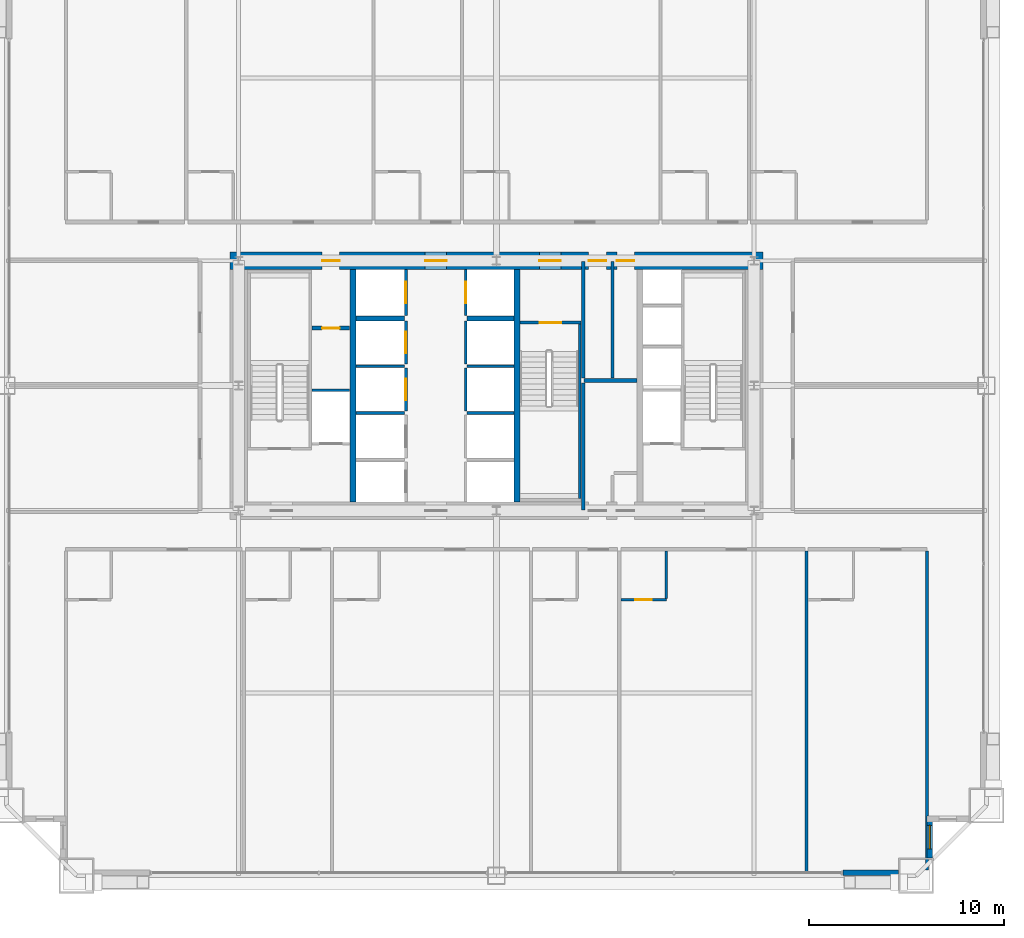
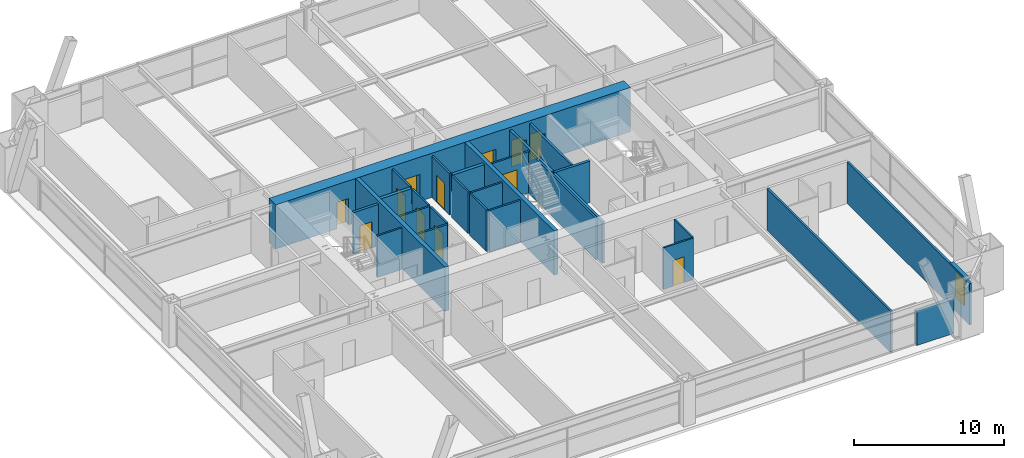
# One storey, part 40 of 43: 29 walls, 12 doors, 1 window, 13 openings.
"""IFC4 building model written with IfcOpenShell, lengths in metres."""

from ifc_helpers import new_model, si_unit, direction, frame, frame_2d, origin, place, context, subcontext, project, spatial, rectangle, extrude, source, transform, mapped, material, layer, layer_set, type_object, element, fill, save


model = new_model("IFC4")

# Units and contexts
model_context = context("Model", 3, precision=1e-05, world=origin(), true_north=direction((0.0, 1.0)))
body_context = subcontext(model_context, "Body", "Model", "MODEL_VIEW")
ifc_project = project(units=[si_unit("LENGTHUNIT", "METRE"), si_unit("AREAUNIT", "SQUARE_METRE"), si_unit("VOLUMEUNIT", "CUBIC_METRE"), si_unit("PLANEANGLEUNIT", "RADIAN"), si_unit("MASSUNIT", "GRAM", prefix="KILO"), si_unit("THERMODYNAMICTEMPERATUREUNIT", "KELVIN"), si_unit("POWERUNIT", "WATT")], contexts=[model_context])

# Site, building, storey
site_placement = place(None, origin())
site = spatial("IfcSite", under=ifc_project, at=site_placement, CompositionType="ELEMENT")
building_placement = place(site_placement, origin())
building = spatial("IfcBuilding", under=site, at=building_placement, Name="Yuzanri Waterfront Tower", CompositionType="ELEMENT")
storey_placement = place(building_placement, frame((0.0, 0.0, 74.800048828125)))
storey = spatial("IfcBuildingStorey", under=building, at=storey_placement, Name="L19", CompositionType="ELEMENT", Elevation=74.800048828125)

# Wall, opening, door
ifc_material_1 = material(Name="Moisture-Resistant Gypsum Stud Wall", Category="gypsum")
ifc_layer_1 = layer(ifc_material_1, 0.1201171875)
ifc_layer_set_1 = layer_set([ifc_layer_1], Name="Moisture-Resistant Gypsum Stud Wall")
wall_type_1 = type_object("IfcWallType", Name="Bathroom and Kitchen Wet Partition 120", PredefinedType="PARTITIONING", material=ifc_layer_set_1)
wall_1_placement = place(storey_placement, frame((43.3740234375, 14.840087890625, 0.0), z_axis=(0.0, 0.0, 1.0), x_axis=(1.0, 0.0, 0.0)))
wall_1 = element("IfcWall", 1, at=wall_1_placement, inside=storey, type_object=wall_type_1, Name="L19 Partition UW-L19-S5-BS", PredefinedType="PARTITIONING", context=body_context, shape_type="SweptSolid", body=[
    extrude(rectangle(XDim=2.330078125, YDim=0.1201171875, at=frame_2d((1.1650390625, 0.0))), origin(), (0.0, 0.0, 1.0), 3.3798828125),
])
opening_1_placement = place(wall_1_placement, frame((0.739990234375, 0.0, 0.0)))
opening_1 = element("IfcOpeningElement", 2, at=opening_1_placement, cuts=wall_1, Name="Opening ID-0850", PredefinedType="OPENING", context=body_context, shape_type="SweptSolid", body=[
    extrude(rectangle(XDim=0.85009765625, YDim=2.10009765625, at=frame_2d((0.425048828125, 1.050048828125))), frame((0.0, 0.074951171875, 0.0), z_axis=(0.0, -1.0, 0.0), x_axis=(1.0, 0.0, 0.0)), (0.0, 0.0, 1.0), 0.14990234375),
])
ifc_material_2 = material(Name="Moisture-Resistant Lacquered Timber", Category="wood")
door_type_1 = type_object("IfcDoorType", Name="En-Suite Bathroom and Kitchen Swing Door 850x2100", OperationType="NOTDEFINED", PredefinedType="DOOR", material=ifc_material_2)
shared_shape_1 = source(origin(), body_context, "Body", "SweptSolid", [
    extrude(rectangle(XDim=0.85009765625, YDim=2.10009765625, at=frame_2d((0.425048828125, 1.050048828125))), frame((0.0, 0.02490234375, 0.0), z_axis=(0.0, -1.0, 0.0), x_axis=(1.0, 0.0, 0.0)), (0.0, 0.0, 1.0), 0.050048828125),
])
door_1_placement = place(opening_1_placement, origin())
door_1 = element("IfcDoor", 3, at=door_1_placement, inside=storey, type_object=door_type_1, Name="L19 Guest En-Suite Door", OperationType="SINGLE_SWING_LEFT", OverallHeight=2.10009765625, OverallWidth=0.85009765625, PredefinedType="DOOR", context=body_context, shape_type="MappedRepresentation", body=[
    mapped(shared_shape_1, transform((0.0, 0.0, 0.0), scale=1.0)),
])
fill(opening_1, door_1)

# Wall, opening, window
ifc_material_3 = material(Name="Honed Chongqing Dark Basalt Stone", Category="masonry")
ifc_layer_2 = layer(ifc_material_3, 0.300048828125)
ifc_layer_set_2 = layer_set([ifc_layer_2], Name="Honed Chongqing Dark Basalt Stone")
wall_type_2 = type_object("IfcWallType", Name="Bronze Rainscreen Insulated Spandrel Portal Wall 300", PredefinedType="SOLIDWALL", material=ifc_layer_set_2)
wall_2_placement = place(storey_placement, frame((59.199951171875, 1.60009765625, 0.0), z_axis=(0.0, 0.0, 1.0), x_axis=(0.0, 1.0, 0.0)))
wall_2 = element("IfcWall", 4, at=wall_2_placement, inside=storey, type_object=wall_type_2, Name="L19 Notched Corner Masonry Wall SE-Y", PredefinedType="SOLIDWALL", context=body_context, shape_type="SweptSolid", body=[
    extrude(rectangle(XDim=2.14990234375, YDim=0.300048828125, at=frame_2d((1.074951171875, 0.0))), origin(), (0.0, 0.0, 1.0), 3.3798828125),
])
opening_2_placement = place(wall_2_placement, frame((0.47509765625, 0.0, 0.85009765625)))
opening_2 = element("IfcOpeningElement", 5, at=opening_2_placement, cuts=wall_2, Name="Opening WN-02", PredefinedType="OPENING", context=body_context, shape_type="SweptSolid", body=[
    extrude(rectangle(XDim=1.199951171875, YDim=2.10009765625, at=frame_2d((0.60009765625, 1.050048828125))), frame((0.0, 0.1650390625, 0.0), z_axis=(0.0, -1.0, 0.0), x_axis=(1.0, 0.0, 0.0)), (0.0, 0.0, 1.0), 0.329833984375),
])
ifc_material_4 = material(Name="Double-Silver Low-E Insulated Glass", Category="glass")
window_type = type_object("IfcWindowType", Name="Anodized Bronze Notched Corner Deep-Set Slot Window 1200x2100", PartitioningType="SINGLE_PANEL", PredefinedType="WINDOW", material=ifc_material_4)
shared_shape_2 = source(origin(), body_context, "Body", "SweptSolid", [
    extrude(rectangle(XDim=1.199951171875, YDim=2.10009765625, at=frame_2d((0.60009765625, 1.050048828125))), frame((0.0, 0.030029296875, 0.0), z_axis=(0.0, -1.0, 0.0), x_axis=(1.0, 0.0, 0.0)), (0.0, 0.0, 1.0), 0.06005859375),
])
window_placement = place(opening_2_placement, origin())
window = element("IfcWindow", 6, at=window_placement, inside=storey, type_object=window_type, Name="L19 Notched Corner Window SE-Y", OverallHeight=2.10009765625, OverallWidth=1.199951171875, PartitioningType="SINGLE_PANEL", PredefinedType="WINDOW", context=body_context, shape_type="MappedRepresentation", body=[
    mapped(shared_shape_2, transform((0.0, 0.0, 0.0), scale=1.0)),
])
fill(opening_2, window)

# Wall, openings, doors
ifc_material_5 = material(Name="Concrete C60", Category="concrete")
ifc_layer_3 = layer(ifc_material_5, 0.89990234375)
ifc_layer_set_3 = layer_set([ifc_layer_3], Name="Concrete C60")
wall_type_3 = type_object("IfcWallType", Name="Concrete C60 Lower Zone Core Shear Wall 900", PredefinedType="SHEAR", material=ifc_layer_set_3)
wall_3_placement = place(storey_placement, frame((23.35009765625, 32.199951171875, 0.0), z_axis=(0.0, 0.0, 1.0), x_axis=(1.0, 0.0, 0.0)))
wall_3 = element("IfcWall", 7, at=wall_3_placement, inside=storey, type_object=wall_type_3, Name="L19 Core North Shear Wall", PredefinedType="SHEAR", context=body_context, shape_type="SweptSolid", body=[
    extrude(rectangle(XDim=27.2998046875, YDim=0.89990234375, at=frame_2d((13.64990234375, 0.0))), origin(), (0.0, 0.0, 1.0), 3.599853515625),
])
opening_3_placement = place(wall_3_placement, frame((4.719970703125, 0.0, 0.0)))
opening_3 = element("IfcOpeningElement", 8, at=opening_3_placement, cuts=wall_3, Name="Opening FD-0900", PredefinedType="OPENING", context=body_context, shape_type="SweptSolid", body=[
    extrude(rectangle(XDim=0.89990234375, YDim=2.14990234375, at=frame_2d((0.449951171875, 1.074951171875))), frame((0.0, 0.46484375, 0.0), z_axis=(0.0, -1.0, 0.0), x_axis=(1.0, 0.0, 0.0)), (0.0, 0.0, 1.0), 0.9296875),
])
opening_4_placement = place(wall_3_placement, frame((10.0, 0.0, 0.0)))
opening_4 = element("IfcOpeningElement", 9, at=opening_4_placement, cuts=wall_3, Name="Opening FD-1100", PredefinedType="OPENING", context=body_context, shape_type="SweptSolid", body=[
    extrude(rectangle(XDim=1.10009765625, YDim=2.199951171875, at=frame_2d((0.550048828125, 1.10009765625))), frame((0.0, 0.46484375, 0.0), z_axis=(0.0, -1.0, 0.0), x_axis=(1.0, 0.0, 0.0)), (0.0, 0.0, 1.0), 0.9296875),
])
opening_5_placement = place(wall_3_placement, frame((15.85009765625, 0.0, 0.0)))
opening_5 = element("IfcOpeningElement", 10, at=opening_5_placement, cuts=wall_3, Name="Opening FD-1100", PredefinedType="OPENING", context=body_context, shape_type="SweptSolid", body=[
    extrude(rectangle(XDim=1.10009765625, YDim=2.199951171875, at=frame_2d((0.550048828125, 1.10009765625))), frame((0.0, 0.46484375, 0.0), z_axis=(0.0, -1.0, 0.0), x_axis=(1.0, 0.0, 0.0)), (0.0, 0.0, 1.0), 0.9296875),
])
opening_6_placement = place(wall_3_placement, frame((18.3798828125, 0.0, 0.0)))
opening_6 = element("IfcOpeningElement", 11, at=opening_6_placement, cuts=wall_3, Name="Opening FD-0900", PredefinedType="OPENING", context=body_context, shape_type="SweptSolid", body=[
    extrude(rectangle(XDim=0.89990234375, YDim=2.14990234375, at=frame_2d((0.449951171875, 1.074951171875))), frame((0.0, 0.46484375, 0.0), z_axis=(0.0, -1.0, 0.0), x_axis=(1.0, 0.0, 0.0)), (0.0, 0.0, 1.0), 0.9296875),
])
opening_7_placement = place(wall_3_placement, frame((19.820068359375, 0.0, 0.0)))
opening_7 = element("IfcOpeningElement", 12, at=opening_7_placement, cuts=wall_3, Name="Opening FD-0900", PredefinedType="OPENING", context=body_context, shape_type="SweptSolid", body=[
    extrude(rectangle(XDim=0.89990234375, YDim=2.14990234375, at=frame_2d((0.449951171875, 1.074951171875))), frame((0.0, 0.46484375, 0.0), z_axis=(0.0, -1.0, 0.0), x_axis=(1.0, 0.0, 0.0)), (0.0, 0.0, 1.0), 0.9296875),
])
ifc_material_6 = material(Name="Painted Galvanized Fire Steel", Category="steel")
door_type_2 = type_object("IfcDoorType", Name="Smoke-Proof Stair and Lobby Fire Door 1100x2200", OperationType="NOTDEFINED", PredefinedType="DOOR", material=ifc_material_6)
shared_shape_3 = source(origin(), body_context, "Body", "SweptSolid", [
    extrude(rectangle(XDim=1.10009765625, YDim=2.199951171875, at=frame_2d((0.550048828125, 1.10009765625))), frame((0.0, 0.02490234375, 0.0), z_axis=(0.0, -1.0, 0.0), x_axis=(1.0, 0.0, 0.0)), (0.0, 0.0, 1.0), 0.050048828125),
])
door_2_placement = place(opening_4_placement, origin())
door_2 = element("IfcDoor", 13, at=door_2_placement, inside=storey, type_object=door_type_2, Name="L19 Central Lift Lobby North Door", OperationType="SINGLE_SWING_LEFT", OverallHeight=2.199951171875, OverallWidth=1.10009765625, PredefinedType="DOOR", context=body_context, shape_type="MappedRepresentation", body=[
    mapped(shared_shape_3, transform((0.0, 0.0, 0.0), scale=1.0)),
])
fill(opening_4, door_2)
door_3_placement = place(opening_5_placement, origin())
door_3 = element("IfcDoor", 14, at=door_3_placement, inside=storey, type_object=door_type_2, Name="L19 North Stair Lobby Door", OperationType="SINGLE_SWING_RIGHT", OverallHeight=2.199951171875, OverallWidth=1.10009765625, PredefinedType="DOOR", context=body_context, shape_type="MappedRepresentation", body=[
    mapped(shared_shape_3, transform((0.0, 0.0, 0.0), scale=1.0)),
])
fill(opening_5, door_3)
ifc_material_7 = material(Name="Painted Galvanized Fire Steel", Category="steel")
door_type_3 = type_object("IfcDoorType", Name="Riser and Service Room Fire Door 900x2150", OperationType="NOTDEFINED", PredefinedType="DOOR", material=ifc_material_7)
shared_shape_4 = source(origin(), body_context, "Body", "SweptSolid", [
    extrude(rectangle(XDim=0.89990234375, YDim=2.14990234375, at=frame_2d((0.449951171875, 1.074951171875))), frame((0.0, 0.02490234375, 0.0), z_axis=(0.0, -1.0, 0.0), x_axis=(1.0, 0.0, 0.0)), (0.0, 0.0, 1.0), 0.050048828125),
])
door_4_placement = place(opening_3_placement, origin())
door_4 = element("IfcDoor", 15, at=door_4_placement, inside=storey, type_object=door_type_3, Name="L19 Telecom Riser Door", OperationType="SINGLE_SWING_RIGHT", OverallHeight=2.14990234375, OverallWidth=0.89990234375, PredefinedType="DOOR", context=body_context, shape_type="MappedRepresentation", body=[
    mapped(shared_shape_4, transform((0.0, 0.0, 0.0), scale=1.0)),
])
fill(opening_3, door_4)
door_5_placement = place(opening_6_placement, origin())
door_5 = element("IfcDoor", 16, at=door_5_placement, inside=storey, type_object=door_type_3, Name="L19 Common Store Room", OperationType="SINGLE_SWING_RIGHT", OverallHeight=2.14990234375, OverallWidth=0.89990234375, PredefinedType="DOOR", context=body_context, shape_type="MappedRepresentation", body=[
    mapped(shared_shape_4, transform((0.0, 0.0, 0.0), scale=1.0)),
])
fill(opening_6, door_5)
door_6_placement = place(opening_7_placement, origin())
door_6 = element("IfcDoor", 17, at=door_6_placement, inside=storey, type_object=door_type_3, Name="L19 Linen Store Room", OperationType="SINGLE_SWING_LEFT", OverallHeight=2.14990234375, OverallWidth=0.89990234375, PredefinedType="DOOR", context=body_context, shape_type="MappedRepresentation", body=[
    mapped(shared_shape_4, transform((0.0, 0.0, 0.0), scale=1.0)),
])
fill(opening_7, door_6)

# Wall, opening, door
ifc_material_8 = material(Name="Concrete C40", Category="concrete")
ifc_layer_4 = layer(ifc_material_8, 0.139892578125)
ifc_layer_set_4 = layer_set([ifc_layer_4], Name="Concrete C40")
wall_type_4 = type_object("IfcWallType", Name="Core Stair Liner and Hoistway Shaft Wall 140", PredefinedType="SOLIDWALL", material=ifc_layer_set_4)
wall_4_placement = place(storey_placement, frame((32.3701171875, 24.5, 0.0), z_axis=(0.0, 0.0, 1.0), x_axis=(0.0, 1.0, 0.0)))
wall_4 = element("IfcWall", 18, at=wall_4_placement, inside=storey, type_object=wall_type_4, Name="L19 Lift PL-03 Front Shaft Wall", PredefinedType="SOLIDWALL", context=body_context, shape_type="SweptSolid", body=[
    extrude(rectangle(XDim=2.199951171875, YDim=0.139892578125, at=frame_2d((1.10009765625, 0.0))), origin(), (0.0, 0.0, 1.0), 3.3798828125),
])
opening_8_placement = place(wall_4_placement, frame((0.550048828125, 0.0, 0.0)))
opening_8 = element("IfcOpeningElement", 19, at=opening_8_placement, cuts=wall_4, Name="Opening LD-PL-03", PredefinedType="OPENING", context=body_context, shape_type="SweptSolid", body=[
    extrude(rectangle(XDim=1.10009765625, YDim=2.199951171875, at=frame_2d((0.550048828125, 1.10009765625))), frame((0.0, 0.0849609375, 0.0), z_axis=(0.0, -1.0, 0.0), x_axis=(1.0, 0.0, 0.0)), (0.0, 0.0, 1.0), 0.169677734375),
])
ifc_material_9 = material(Name="Brushed Bronze and Stainless Steel Cab", Category="steel")
door_type_4 = type_object("IfcDoorType", Name="Center-Parting Bronze Lift Landing Sliding Door 1100x2200", OperationType="NOTDEFINED", PredefinedType="DOOR", material=ifc_material_9)
shared_shape_5 = source(origin(), body_context, "Body", "SweptSolid", [
    extrude(rectangle(XDim=1.10009765625, YDim=2.199951171875, at=frame_2d((0.550048828125, 1.10009765625))), frame((0.0, 0.02490234375, 0.0), z_axis=(0.0, -1.0, 0.0), x_axis=(1.0, 0.0, 0.0)), (0.0, 0.0, 1.0), 0.050048828125),
])
door_7_placement = place(opening_8_placement, origin())
door_7 = element("IfcDoor", 20, at=door_7_placement, inside=storey, type_object=door_type_4, Name="L19 PL-03 Lift Landing Sliding Door", OperationType="SLIDING_TO_LEFT", OverallHeight=2.199951171875, OverallWidth=1.10009765625, PredefinedType="DOOR", context=body_context, shape_type="MappedRepresentation", body=[
    mapped(shared_shape_5, transform((0.0, 0.0, 0.0), scale=1.0)),
])
fill(opening_8, door_7)

wall_5_placement = place(storey_placement, frame((32.3701171875, 26.89990234375, 0.0), z_axis=(0.0, 0.0, 1.0), x_axis=(0.0, 1.0, 0.0)))
wall_5 = element("IfcWall", 21, at=wall_5_placement, inside=storey, type_object=wall_type_4, Name="L19 Lift PL-04 Front Shaft Wall", PredefinedType="SOLIDWALL", context=body_context, shape_type="SweptSolid", body=[
    extrude(rectangle(XDim=2.2001953125, YDim=0.139892578125, at=frame_2d((1.10009765625, 0.0))), origin(), (0.0, 0.0, 1.0), 3.3798828125),
])
opening_9_placement = place(wall_5_placement, frame((0.550048828125, 0.0, 0.0)))
opening_9 = element("IfcOpeningElement", 22, at=opening_9_placement, cuts=wall_5, Name="Opening LD-PL-04", PredefinedType="OPENING", context=body_context, shape_type="SweptSolid", body=[
    extrude(rectangle(XDim=1.10009765625, YDim=2.199951171875, at=frame_2d((0.550048828125, 1.10009765625))), frame((0.0, 0.0849609375, 0.0), z_axis=(0.0, -1.0, 0.0), x_axis=(1.0, 0.0, 0.0)), (0.0, 0.0, 1.0), 0.169677734375),
])
door_8_placement = place(opening_9_placement, origin())
door_8 = element("IfcDoor", 23, at=door_8_placement, inside=storey, type_object=door_type_4, Name="L19 PL-04 Lift Landing Sliding Door", OperationType="SLIDING_TO_RIGHT", OverallHeight=2.199951171875, OverallWidth=1.10009765625, PredefinedType="DOOR", context=body_context, shape_type="MappedRepresentation", body=[
    mapped(shared_shape_5, transform((0.0, 0.0, 0.0), scale=1.0)),
])
fill(opening_9, door_8)

wall_6_placement = place(storey_placement, frame((32.3701171875, 29.39990234375, 0.0), z_axis=(0.0, 0.0, 1.0), x_axis=(0.0, 1.0, 0.0)))
wall_6 = element("IfcWall", 24, at=wall_6_placement, inside=storey, type_object=wall_type_4, Name="L19 Lift SL-01 Front Shaft Wall", PredefinedType="SOLIDWALL", context=body_context, shape_type="SweptSolid", body=[
    extrude(rectangle(XDim=2.340087890625, YDim=0.139892578125, at=frame_2d((1.169921875, 0.0))), origin(), (0.0, 0.0, 1.0), 3.3798828125),
])
opening_10_placement = place(wall_6_placement, frame((0.6201171875, 0.0, 0.0)))
opening_10 = element("IfcOpeningElement", 25, at=opening_10_placement, cuts=wall_6, Name="Opening LD-SL-01", PredefinedType="OPENING", context=body_context, shape_type="SweptSolid", body=[
    extrude(rectangle(XDim=1.10009765625, YDim=2.199951171875, at=frame_2d((0.550048828125, 1.10009765625))), frame((0.0, 0.0849609375, 0.0), z_axis=(0.0, -1.0, 0.0), x_axis=(1.0, 0.0, 0.0)), (0.0, 0.0, 1.0), 0.169677734375),
])
door_9_placement = place(opening_10_placement, origin())
door_9 = element("IfcDoor", 26, at=door_9_placement, inside=storey, type_object=door_type_4, Name="L19 SL-01 Lift Landing Sliding Door", OperationType="SLIDING_TO_LEFT", OverallHeight=2.199951171875, OverallWidth=1.10009765625, PredefinedType="DOOR", context=body_context, shape_type="MappedRepresentation", body=[
    mapped(shared_shape_5, transform((0.0, 0.0, 0.0), scale=1.0)),
])
fill(opening_10, door_9)

wall_7_placement = place(storey_placement, frame((35.429931640625, 29.39990234375, 0.0), z_axis=(0.0, 0.0, 1.0), x_axis=(0.0, 1.0, 0.0)))
wall_7 = element("IfcWall", 27, at=wall_7_placement, inside=storey, type_object=wall_type_4, Name="L19 Lift SL-02 Front Shaft Wall", PredefinedType="SOLIDWALL", context=body_context, shape_type="SweptSolid", body=[
    extrude(rectangle(XDim=2.340087890625, YDim=0.139892578125, at=frame_2d((1.169921875, 0.0))), origin(), (0.0, 0.0, 1.0), 3.3798828125),
])
opening_11_placement = place(wall_7_placement, frame((0.6201171875, 0.0, 0.0)))
opening_11 = element("IfcOpeningElement", 28, at=opening_11_placement, cuts=wall_7, Name="Opening LD-SL-02", PredefinedType="OPENING", context=body_context, shape_type="SweptSolid", body=[
    extrude(rectangle(XDim=1.10009765625, YDim=2.199951171875, at=frame_2d((0.550048828125, 1.10009765625))), frame((0.0, 0.0849609375, 0.0), z_axis=(0.0, -1.0, 0.0), x_axis=(1.0, 0.0, 0.0)), (0.0, 0.0, 1.0), 0.169677734375),
])
door_10_placement = place(opening_11_placement, origin())
door_10 = element("IfcDoor", 29, at=door_10_placement, inside=storey, type_object=door_type_4, Name="L19 SL-02 Lift Landing Sliding Door", OperationType="SLIDING_TO_RIGHT", OverallHeight=2.199951171875, OverallWidth=1.10009765625, PredefinedType="DOOR", context=body_context, shape_type="MappedRepresentation", body=[
    mapped(shared_shape_5, transform((0.0, 0.0, 0.0), scale=1.0)),
])
fill(opening_11, door_10)

wall_8_placement = place(storey_placement, frame((38.199951171875, 29.030029296875, 0.0), z_axis=(0.0, 0.0, 1.0), x_axis=(1.0, 0.0, 0.0)))
wall_8 = element("IfcWall", 30, at=wall_8_placement, inside=storey, type_object=wall_type_4, Name="L19 Shaft Wall STW-L19-ST-03-N", PredefinedType="SOLIDWALL", context=body_context, shape_type="SweptSolid", body=[
    extrude(rectangle(XDim=3.14013671875, YDim=0.139892578125, at=frame_2d((1.570068359375, 0.0))), origin(), (0.0, 0.0, 1.0), 3.3798828125),
])
opening_12_placement = place(wall_8_placement, frame((1.02001953125, 0.0, 0.0)))
opening_12 = element("IfcOpeningElement", 31, at=opening_12_placement, cuts=wall_8, Name="Opening FD-1100", PredefinedType="OPENING", context=body_context, shape_type="SweptSolid", body=[
    extrude(rectangle(XDim=1.10009765625, YDim=2.199951171875, at=frame_2d((0.550048828125, 1.10009765625))), frame((0.0, 0.0849609375, 0.0), z_axis=(0.0, -1.0, 0.0), x_axis=(1.0, 0.0, 0.0)), (0.0, 0.0, 1.0), 0.169677734375),
])
door_11_placement = place(opening_12_placement, origin())
door_11 = element("IfcDoor", 32, at=door_11_placement, inside=storey, type_object=door_type_2, Name="L19 Stair ST-03 Fire Door", OperationType="SINGLE_SWING_RIGHT", OverallHeight=2.199951171875, OverallWidth=1.10009765625, PredefinedType="DOOR", context=body_context, shape_type="MappedRepresentation", body=[
    mapped(shared_shape_3, transform((0.0, 0.0, 0.0), scale=1.0)),
])
fill(opening_12, door_11)

ifc_material_10 = material(Name="Autoclaved Aerated Concrete Blockwork", Category="masonry")
ifc_layer_5 = layer(ifc_material_10, 0.199951171875)
ifc_layer_set_5 = layer_set([ifc_layer_5], Name="Autoclaved Aerated Concrete Blockwork")
wall_type_5 = type_object("IfcWallType", Name="Corridor and Unit Party Fire Wall 200", PredefinedType="PARTITIONING", material=ifc_layer_set_5)
wall_9_placement = place(storey_placement, frame((27.56005859375, 28.75, 0.0), z_axis=(0.0, 0.0, 1.0), x_axis=(1.0, 0.0, 0.0)))
wall_9 = element("IfcWall", 33, at=wall_9_placement, inside=storey, type_object=wall_type_5, Name="L19 Partition CRW-L19-ERTR", PredefinedType="PARTITIONING", context=body_context, shape_type="SweptSolid", body=[
    extrude(rectangle(XDim=1.919921875, YDim=0.199951171875, at=frame_2d((0.9599609375, 0.0))), origin(), (0.0, 0.0, 1.0), 3.3798828125),
])
opening_13_placement = place(wall_9_placement, frame((0.510009765625, 0.0, 0.0)))
opening_13 = element("IfcOpeningElement", 34, at=opening_13_placement, cuts=wall_9, Name="Opening FD-0900", PredefinedType="OPENING", context=body_context, shape_type="SweptSolid", body=[
    extrude(rectangle(XDim=0.89990234375, YDim=2.14990234375, at=frame_2d((0.449951171875, 1.074951171875))), frame((0.0, 0.11474609375, 0.0), z_axis=(0.0, -1.0, 0.0), x_axis=(1.0, 0.0, 0.0)), (0.0, 0.0, 1.0), 0.229736328125),
])
door_12_placement = place(opening_13_placement, origin())
door_12 = element("IfcDoor", 35, at=door_12_placement, inside=storey, type_object=door_type_3, Name="L19 Electrical Riser Door", OperationType="SINGLE_SWING_LEFT", OverallHeight=2.14990234375, OverallWidth=0.89990234375, PredefinedType="DOOR", context=body_context, shape_type="MappedRepresentation", body=[
    mapped(shared_shape_4, transform((0.0, 0.0, 0.0), scale=1.0)),
])
fill(opening_13, door_12)

# Walls
ifc_material_11 = material(Name="Concrete C50", Category="concrete")
ifc_layer_6 = layer(ifc_material_11, 0.300048828125)
ifc_layer_set_6 = layer_set([ifc_layer_6], Name="Concrete C50")
wall_type_6 = type_object("IfcWallType", Name="Concrete C50 Internal Core Shaft Structural Wall 300", PredefinedType="SOLIDWALL", material=ifc_layer_set_6)
shared_shape_6 = source(origin(), body_context, "Body", "SweptSolid", [
    extrude(rectangle(XDim=11.89990234375, YDim=0.300048828125, at=frame_2d((5.949951171875, 0.0))), origin(), (0.0, 0.0, 1.0), 3.599853515625),
])
for number, where, z_axis, x_axis, name in (
    (36, (29.64990234375, 19.85009765625, 0.0), (0.0, 0.0, 1.0), (0.0, 1.0, 0.0), "L19 Core Internal Structural Web Wall 1"),
    (37, (38.050048828125, 19.85009765625, 0.0), (0.0, 0.0, 1.0), (0.0, 1.0, 0.0), "L19 Core Internal Structural Web Wall 2"),
):
    element("IfcWall", number, at=place(storey_placement, frame(where, z_axis=z_axis, x_axis=x_axis)), inside=storey, type_object=wall_type_6, Name=name, PredefinedType="SOLIDWALL", context=body_context, shape_type="MappedRepresentation", body=[
        mapped(shared_shape_6, transform((0.0, 0.0, 0.0), scale=1.0)),
    ])
shared_shape_7 = source(origin(), body_context, "Body", "SweptSolid", [
    extrude(rectangle(XDim=2.85009765625, YDim=0.300048828125, at=frame_2d((1.425048828125, 0.0))), origin(), (0.0, 0.0, 1.0), 2.77490234375),
])
wall_10_placement = place(storey_placement, frame((54.75, 0.85009765625, 0.0), z_axis=(0.0, 0.0, 1.0), x_axis=(1.0, 0.0, 0.0)))
element("IfcWall", 38, at=wall_10_placement, inside=storey, type_object=wall_type_2, Name="L19 S Right Braced Masonry Shoulder", PredefinedType="SOLIDWALL", context=body_context, shape_type="MappedRepresentation", body=[
    mapped(shared_shape_7, transform((0.0, 0.0, 0.0), scale=1.0)),
])
shared_shape_8 = source(origin(), body_context, "Body", "SweptSolid", [
    extrude(rectangle(XDim=1.919921875, YDim=0.139892578125, at=frame_2d((0.9599609375, 0.0))), origin(), (0.0, 0.0, 1.0), 3.3798828125),
])
wall_11_placement = place(storey_placement, frame((27.56005859375, 25.570068359375, 0.0), z_axis=(0.0, 0.0, 1.0), x_axis=(1.0, 0.0, 0.0)))
element("IfcWall", 39, at=wall_11_placement, inside=storey, type_object=wall_type_4, Name="L19 Lift FL-01 Back Shaft Wall", PredefinedType="SOLIDWALL", context=body_context, shape_type="MappedRepresentation", body=[
    mapped(shared_shape_8, transform((0.0, 0.0, 0.0), scale=1.0)),
])
shared_shape_9 = source(origin(), body_context, "Body", "SweptSolid", [
    extrude(rectangle(XDim=2.5, YDim=0.139892578125, at=frame_2d((1.25, 0.0))), origin(), (0.0, 0.0, 1.0), 3.3798828125),
])
for number, where, z_axis, x_axis, name in (
    (40, (29.800048828125, 24.39990234375, 0.0), (0.0, 0.0, 1.0), (1.0, 0.0, 0.0), "L19 Lift PL-02 Divider Wall"),
    (41, (29.800048828125, 26.800048828125, 0.0), (0.0, 0.0, 1.0), (1.0, 0.0, 0.0), "L19 Lift PL-03 Divider Wall"),
):
    element("IfcWall", number, at=place(storey_placement, frame(where, z_axis=z_axis, x_axis=x_axis)), inside=storey, type_object=wall_type_4, Name=name, PredefinedType="SOLIDWALL", context=body_context, shape_type="MappedRepresentation", body=[
        mapped(shared_shape_9, transform((0.0, 0.0, 0.0), scale=1.0)),
    ])
ifc_material_12 = material(Name="Concrete C40", Category="concrete")
ifc_layer_7 = layer(ifc_material_12, 0.25)
ifc_layer_set_7 = layer_set([ifc_layer_7], Name="Concrete C40")
wall_type_7 = type_object("IfcWallType", Name="Smoke-Proof Stair and Lift Shaft Wall 250", PredefinedType="SOLIDWALL", material=ifc_layer_set_7)
shared_shape_10 = source(origin(), body_context, "Body", "SweptSolid", [
    extrude(rectangle(XDim=2.5, YDim=0.25, at=frame_2d((1.25, 0.0))), origin(), (0.0, 0.0, 1.0), 3.3798828125),
])
wall_12_placement = place(storey_placement, frame((29.800048828125, 29.25, 0.0), z_axis=(0.0, 0.0, 1.0), x_axis=(1.0, 0.0, 0.0)))
element("IfcWall", 42, at=wall_12_placement, inside=storey, type_object=wall_type_7, Name="L19 Lift SL-01 South Shaft Wall", PredefinedType="SOLIDWALL", context=body_context, shape_type="MappedRepresentation", body=[
    mapped(shared_shape_10, transform((0.0, 0.0, 0.0), scale=1.0)),
])
shared_shape_11 = source(origin(), body_context, "Body", "SweptSolid", [
    extrude(rectangle(XDim=2.39990234375, YDim=0.139892578125, at=frame_2d((1.199951171875, 0.0))), origin(), (0.0, 0.0, 1.0), 3.3798828125),
])
for number, where, z_axis, x_axis, name in (
    (43, (35.5, 24.39990234375, 0.0), (0.0, 0.0, 1.0), (1.0, 0.0, 0.0), "L19 Lift PL-06 Divider Wall"),
    (44, (35.5, 26.800048828125, 0.0), (0.0, 0.0, 1.0), (1.0, 0.0, 0.0), "L19 Lift PL-07 Divider Wall"),
):
    element("IfcWall", number, at=place(storey_placement, frame(where, z_axis=z_axis, x_axis=x_axis)), inside=storey, type_object=wall_type_4, Name=name, PredefinedType="SOLIDWALL", context=body_context, shape_type="MappedRepresentation", body=[
        mapped(shared_shape_11, transform((0.0, 0.0, 0.0), scale=1.0)),
    ])
shared_shape_12 = source(origin(), body_context, "Body", "SweptSolid", [
    extrude(rectangle(XDim=2.199951171875, YDim=0.139892578125, at=frame_2d((1.10009765625, 0.0))), origin(), (0.0, 0.0, 1.0), 3.3798828125),
])
wall_13_placement = place(storey_placement, frame((35.429931640625, 24.5, 0.0), z_axis=(0.0, 0.0, 1.0), x_axis=(0.0, 1.0, 0.0)))
element("IfcWall", 45, at=wall_13_placement, inside=storey, type_object=wall_type_4, Name="L19 Lift PL-07 Front Shaft Wall", PredefinedType="SOLIDWALL", context=body_context, shape_type="MappedRepresentation", body=[
    mapped(shared_shape_12, transform((0.0, 0.0, 0.0), scale=1.0)),
])
shared_shape_13 = source(origin(), body_context, "Body", "SweptSolid", [
    extrude(rectangle(XDim=2.2001953125, YDim=0.139892578125, at=frame_2d((1.10009765625, 0.0))), origin(), (0.0, 0.0, 1.0), 3.3798828125),
])
wall_14_placement = place(storey_placement, frame((35.429931640625, 26.89990234375, 0.0), z_axis=(0.0, 0.0, 1.0), x_axis=(0.0, 1.0, 0.0)))
element("IfcWall", 46, at=wall_14_placement, inside=storey, type_object=wall_type_4, Name="L19 Lift PL-08 Front Shaft Wall", PredefinedType="SOLIDWALL", context=body_context, shape_type="MappedRepresentation", body=[
    mapped(shared_shape_13, transform((0.0, 0.0, 0.0), scale=1.0)),
])
shared_shape_14 = source(origin(), body_context, "Body", "SweptSolid", [
    extrude(rectangle(XDim=2.39990234375, YDim=0.25, at=frame_2d((1.199951171875, 0.0))), origin(), (0.0, 0.0, 1.0), 3.3798828125),
])
wall_15_placement = place(storey_placement, frame((35.5, 29.25, 0.0), z_axis=(0.0, 0.0, 1.0), x_axis=(1.0, 0.0, 0.0)))
element("IfcWall", 47, at=wall_15_placement, inside=storey, type_object=wall_type_7, Name="L19 Lift SL-02 South Shaft Wall", PredefinedType="SOLIDWALL", context=body_context, shape_type="MappedRepresentation", body=[
    mapped(shared_shape_14, transform((0.0, 0.0, 0.0), scale=1.0)),
])
shared_shape_15 = source(origin(), body_context, "Body", "SweptSolid", [
    extrude(rectangle(XDim=8.93994140625, YDim=0.139892578125, at=frame_2d((4.469970703125, 0.0))), origin(), (0.0, 0.0, 1.0), 3.3798828125),
])
wall_16_placement = place(storey_placement, frame((41.27001953125, 20.02001953125, 0.0), z_axis=(0.0, 0.0, 1.0), x_axis=(0.0, 1.0, 0.0)))
element("IfcWall", 48, at=wall_16_placement, inside=storey, type_object=wall_type_4, Name="L19 Stair ST-03 East Shaft Wall", PredefinedType="SOLIDWALL", context=body_context, shape_type="MappedRepresentation", body=[
    mapped(shared_shape_15, transform((0.0, 0.0, 0.0), scale=1.0)),
])
ifc_material_13 = material(Name="Gypsum Fireboard Acoustic Stud Wall", Category="gypsum")
ifc_layer_8 = layer(ifc_material_13, 0.159912109375)
ifc_layer_set_8 = layer_set([ifc_layer_8], Name="Gypsum Fireboard Acoustic Stud Wall")
wall_type_8 = type_object("IfcWallType", Name="Acoustic Suite Demising Partition 160", PredefinedType="PARTITIONING", material=ifc_layer_set_8)
shared_shape_16 = source(origin(), body_context, "Body", "SweptSolid", [
    extrude(rectangle(XDim=16.469970703125, YDim=0.159912109375, at=frame_2d((8.23486328125, 0.0))), origin(), (0.0, 0.0, 1.0), 3.3798828125),
])
wall_17_placement = place(storey_placement, frame((52.883056640625, 0.85009765625, 0.0), z_axis=(0.0, 0.0, 1.0), x_axis=(0.0, 1.0, 0.0)))
element("IfcWall", 49, at=wall_17_placement, inside=storey, type_object=wall_type_8, Name="L19-S5 Party Wall", PredefinedType="PARTITIONING", context=body_context, shape_type="MappedRepresentation", body=[
    mapped(shared_shape_16, transform((0.0, 0.0, 0.0), scale=1.0)),
])
shared_shape_17 = source(origin(), body_context, "Body", "SweptSolid", [
    extrude(rectangle(XDim=2.420166015625, YDim=0.1201171875, at=frame_2d((1.2099609375, 0.0))), origin(), (0.0, 0.0, 1.0), 3.3798828125),
])
wall_18_placement = place(storey_placement, frame((45.7041015625, 14.89990234375, 0.0), z_axis=(0.0, 0.0, 1.0), x_axis=(0.0, 1.0, 0.0)))
element("IfcWall", 50, at=wall_18_placement, inside=storey, type_object=wall_type_1, Name="L19-S5 En-Suite Side Wall", PredefinedType="PARTITIONING", context=body_context, shape_type="MappedRepresentation", body=[
    mapped(shared_shape_17, transform((0.0, 0.0, 0.0), scale=1.0)),
])
shared_shape_18 = source(origin(), body_context, "Body", "SweptSolid", [
    extrude(rectangle(XDim=16.320068359375, YDim=0.159912109375, at=frame_2d((8.16015625, 0.0))), origin(), (0.0, 0.0, 1.0), 3.3798828125),
])
wall_19_placement = place(storey_placement, frame((59.050048828125, 1.0, 0.0), z_axis=(0.0, 0.0, 1.0), x_axis=(0.0, 1.0, 0.0)))
element("IfcWall", 51, at=wall_19_placement, inside=storey, type_object=wall_type_8, Name="L19 South Band East End Wall", PredefinedType="PARTITIONING", context=body_context, shape_type="MappedRepresentation", body=[
    mapped(shared_shape_18, transform((0.0, 0.0, 0.0), scale=1.0)),
])
shared_shape_19 = source(origin(), body_context, "Body", "SweptSolid", [
    extrude(rectangle(XDim=6.510009765625, YDim=0.199951171875, at=frame_2d((3.2548828125, 0.0))), origin(), (0.0, 0.0, 1.0), 3.3798828125),
])
wall_20_placement = place(storey_placement, frame((41.449951171875, 19.43994140625, 0.0), z_axis=(0.0, 0.0, 1.0), x_axis=(0.0, 1.0, 0.0)))
element("IfcWall", 52, at=wall_20_placement, inside=storey, type_object=wall_type_5, Name="L19 Core BOH West Wall 1", PredefinedType="PARTITIONING", context=body_context, shape_type="MappedRepresentation", body=[
    mapped(shared_shape_19, transform((0.0, 0.0, 0.0), scale=1.0)),
])
shared_shape_20 = source(origin(), body_context, "Body", "SweptSolid", [
    extrude(rectangle(XDim=2.699951171875, YDim=0.199951171875, at=frame_2d((1.35009765625, 0.0))), origin(), (0.0, 0.0, 1.0), 3.3798828125),
])
wall_21_placement = place(storey_placement, frame((41.5, 26.070068359375, 0.0), z_axis=(0.0, 0.0, 1.0), x_axis=(1.0, 0.0, 0.0)))
element("IfcWall", 53, at=wall_21_placement, inside=storey, type_object=wall_type_5, Name="L19 Core BOH Split Wall 1", PredefinedType="PARTITIONING", context=body_context, shape_type="MappedRepresentation", body=[
    mapped(shared_shape_20, transform((0.0, 0.0, 0.0), scale=1.0)),
])
shared_shape_21 = source(origin(), body_context, "Body", "SweptSolid", [
    extrude(rectangle(XDim=5.9599609375, YDim=0.199951171875, at=frame_2d((2.97998046875, 0.0))), origin(), (0.0, 0.0, 1.0), 3.3798828125),
])
wall_22_placement = place(storey_placement, frame((41.449951171875, 26.199951171875, 0.0), z_axis=(0.0, 0.0, 1.0), x_axis=(0.0, 1.0, 0.0)))
element("IfcWall", 54, at=wall_22_placement, inside=storey, type_object=wall_type_5, Name="L19 Core BOH West Wall 2", PredefinedType="PARTITIONING", context=body_context, shape_type="MappedRepresentation", body=[
    mapped(shared_shape_21, transform((0.0, 0.0, 0.0), scale=1.0)),
])
shared_shape_22 = source(origin(), body_context, "Body", "SweptSolid", [
    extrude(rectangle(XDim=5.9599609375, YDim=0.159912109375, at=frame_2d((2.97998046875, 0.0))), origin(), (0.0, 0.0, 1.0), 3.3798828125),
])
wall_23_placement = place(storey_placement, frame((42.949951171875, 26.199951171875, 0.0), z_axis=(0.0, 0.0, 1.0), x_axis=(0.0, 1.0, 0.0)))
element("IfcWall", 55, at=wall_23_placement, inside=storey, type_object=wall_type_8, Name="L19 Core BOH Mid Wall 3", PredefinedType="PARTITIONING", context=body_context, shape_type="MappedRepresentation", body=[
    mapped(shared_shape_22, transform((0.0, 0.0, 0.0), scale=1.0)),
])

save(model, "model.ifc")
